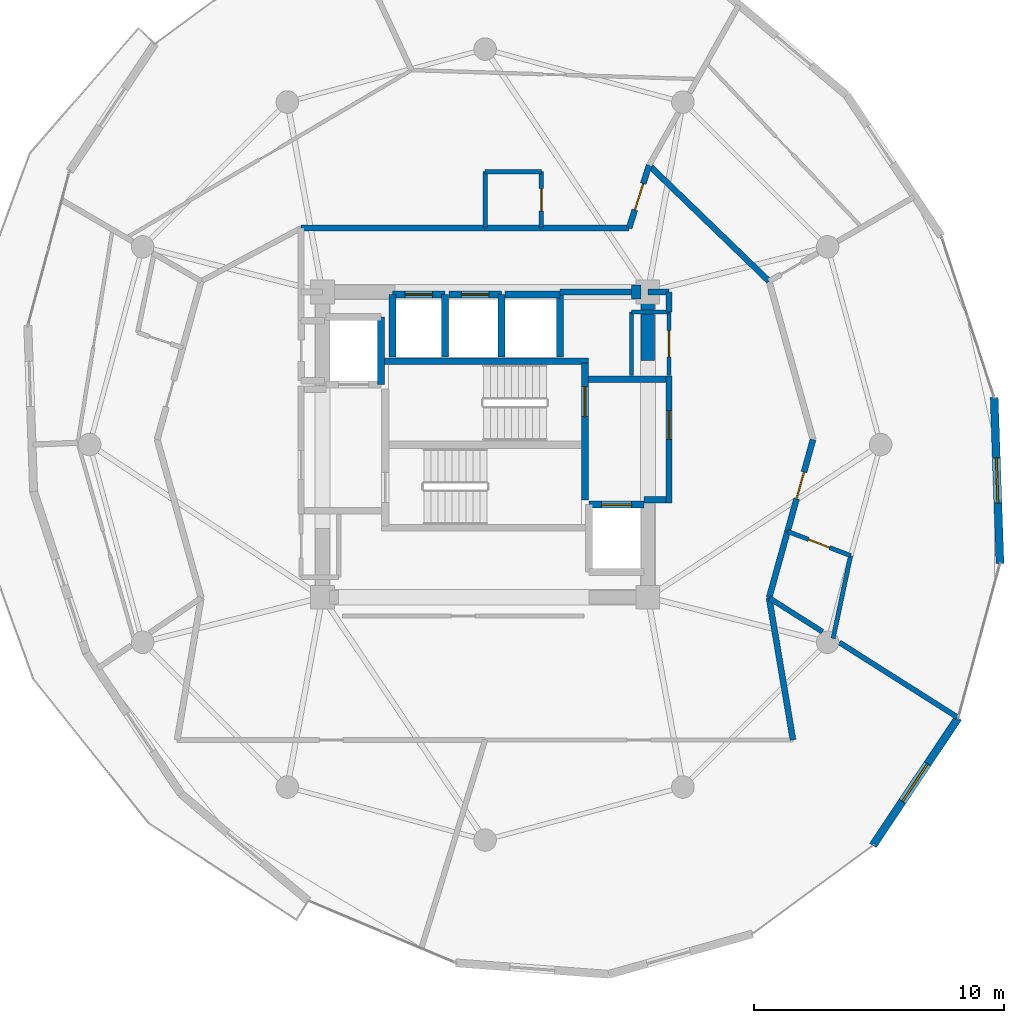
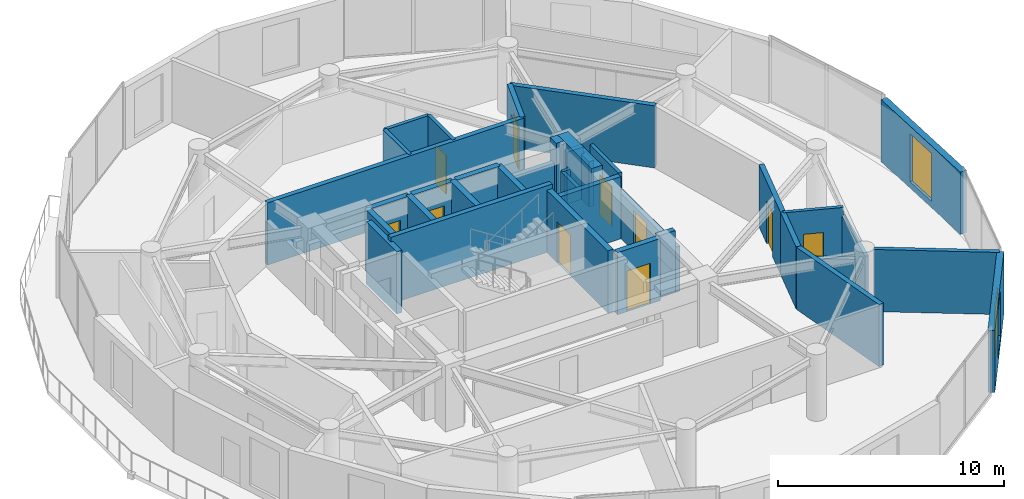
# One storey, part 15 of 18: 37 walls, 10 doors, 2 windows, 12 openings.
"""IFC4 building model written with IfcOpenShell, lengths in metres."""

from ifc_helpers import new_model, si_unit, direction, frame, frame_2d, origin, place, context, subcontext, project, spatial, rectangle, extrude, material, layer, layer_set, type_object, element, fill, save


model = new_model("IFC4")

# Units and contexts
model_context = context("Model", 3, precision=1e-05, world=origin(), true_north=direction((0.0, 1.0)))
body_context = subcontext(model_context, "Body", "Model", "MODEL_VIEW")
ifc_project = project(units=[si_unit("LENGTHUNIT", "METRE"), si_unit("AREAUNIT", "SQUARE_METRE"), si_unit("VOLUMEUNIT", "CUBIC_METRE"), si_unit("PLANEANGLEUNIT", "RADIAN"), si_unit("MASSUNIT", "GRAM", prefix="KILO")], contexts=[model_context])

# Site, building, storey
site_placement = place(None, origin())
site = spatial("IfcSite", under=ifc_project, at=site_placement, CompositionType="ELEMENT")
building_placement = place(site_placement, origin())
building = spatial("IfcBuilding", under=site, at=building_placement, Name="Solvirekh Grand Hotel", CompositionType="ELEMENT")
storey_placement = place(building_placement, frame((0.0, 0.0, 202.0)))
storey = spatial("IfcBuildingStorey", under=building, at=storey_placement, Name="L52", CompositionType="ELEMENT", Elevation=202.0)

# Wall
ifc_material_1 = material(Name="Concrete C50/60", Category="concrete")
ifc_layer_1 = layer(ifc_material_1, 0.35009765625)
ifc_layer_set_1 = layer_set([ifc_layer_1], Name="Concrete C50/60")
wall_type_1 = type_object("IfcWallType", Name="CoreDivWall_RC350", PredefinedType="SOLIDWALL", material=ifc_layer_set_1)
wall_1_placement = place(storey_placement, frame((-4.1298828125, 3.324951171875, 0.0), z_axis=(0.0, 0.0, 1.0), x_axis=(1.0, 0.0, 0.0)))
element("IfcWall", 1, at=wall_1_placement, inside=storey, type_object=wall_type_1, Name="L52 core stair box wall ST-N", PredefinedType="SOLIDWALL", context=body_context, shape_type="SweptSolid", body=[
    extrude(rectangle(XDim=8.259765625, YDim=0.25, at=frame_2d((4.1298828125, 0.0))), origin(), (0.0, 0.0, 1.0), 3.60009765625),
])

# Wall, opening, door
ifc_material_2 = material(Name="Concrete C40/50", Category="concrete")
ifc_layer_2 = layer(ifc_material_2, 0.280029296875)
ifc_layer_set_2 = layer_set([ifc_layer_2], Name="Concrete C40/50")
wall_type_2 = type_object("IfcWallType", Name="CoreShaftWall_RC280", PredefinedType="SOLIDWALL", material=ifc_layer_set_2)
wall_2_placement = place(storey_placement, frame((-1.60009765625, 6.0, 0.0), z_axis=(0.0, 0.0, 1.0), x_axis=(-1.0, 0.0, 0.0)))
wall_2 = element("IfcWall", 2, at=wall_2_placement, inside=storey, type_object=wall_type_2, Name="L52 HP-1 hoistway N wall", PredefinedType="SOLIDWALL", context=body_context, shape_type="SweptSolid", body=[
    extrude(rectangle(XDim=2.099853515625, YDim=0.280029296875, at=frame_2d((1.0498046875, 0.0))), origin(), (0.0, 0.0, 1.0), 3.360107421875),
])
opening_1_placement = place(wall_2_placement, frame((0.5, 0.0, 0.0)))
opening_1 = element("IfcOpeningElement", 3, at=opening_1_placement, cuts=wall_2, Name="Opening LD01", PredefinedType="OPENING", context=body_context, shape_type="SweptSolid", body=[
    extrude(rectangle(XDim=1.10009765625, YDim=2.199951171875, at=frame_2d((0.550048828125, 1.10009765625))), frame((0.0, 0.14990234375, 0.0), z_axis=(0.0, -1.0, 0.0), x_axis=(1.0, 0.0, 0.0)), (0.0, 0.0, 1.0), 0.300048828125),
])
ifc_material_3 = material(Name="Fire-Rated Steel Door Assembly", Category="steel")
door_type_1 = type_object("IfcDoorType", Name="Door_LiftLanding_1100X2200", OperationType="SLIDING_TO_LEFT", PredefinedType="DOOR", material=ifc_material_3)
door_1_placement = place(opening_1_placement, origin())
door_1 = element("IfcDoor", 4, at=door_1_placement, inside=storey, type_object=door_type_1, Name="L52 HP-1 sliding lift landing door", OperationType="SLIDING_TO_LEFT", OverallHeight=2.199951171875, OverallWidth=1.10009765625, PredefinedType="DOOR", context=body_context, shape_type="SweptSolid", body=[
    extrude(rectangle(XDim=1.10009765625, YDim=2.199951171875, at=frame_2d((0.550048828125, 1.10009765625))), frame((0.0, 0.02490234375, 0.0), z_axis=(0.0, -1.0, 0.0), x_axis=(1.0, 0.0, 0.0)), (0.0, 0.0, 1.0), 0.050048828125),
])
fill(opening_1, door_1)

# Walls
for number, where, z_axis, x_axis, name in (
    (5, (-3.699951171875, 6.0, 0.0), (0.0, 0.0, 1.0), (0.0, -1.0, 0.0), "L52 HP-1 hoistway W wall"),
    (6, (-1.60009765625, 3.5, 0.0), (0.0, 0.0, 1.0), (0.0, 1.0, 0.0), "L52 HP-1 hoistway E wall"),
):
    element("IfcWall", number, at=place(storey_placement, frame(where, z_axis=z_axis, x_axis=x_axis)), inside=storey, type_object=wall_type_2, Name=name, PredefinedType="SOLIDWALL", context=body_context, shape_type="SweptSolid", body=[
        extrude(rectangle(XDim=2.5, YDim=0.280029296875, at=frame_2d((1.25, 0.0))), origin(), (0.0, 0.0, 1.0), 3.360107421875),
    ])

# Wall, opening, door
wall_3_placement = place(storey_placement, frame((0.64990234375, 6.0, 0.0), z_axis=(0.0, 0.0, 1.0), x_axis=(-1.0, 0.0, 0.0)))
wall_3 = element("IfcWall", 7, at=wall_3_placement, inside=storey, type_object=wall_type_2, Name="L52 HP-2 hoistway N wall", PredefinedType="SOLIDWALL", context=body_context, shape_type="SweptSolid", body=[
    extrude(rectangle(XDim=2.099853515625, YDim=0.280029296875, at=frame_2d((1.0498046875, 0.0))), origin(), (0.0, 0.0, 1.0), 3.360107421875),
])
opening_2_placement = place(wall_3_placement, frame((0.5, 0.0, 0.0)))
opening_2 = element("IfcOpeningElement", 8, at=opening_2_placement, cuts=wall_3, Name="Opening LD01", PredefinedType="OPENING", context=body_context, shape_type="SweptSolid", body=[
    extrude(rectangle(XDim=1.10009765625, YDim=2.199951171875, at=frame_2d((0.550048828125, 1.10009765625))), frame((0.0, 0.14990234375, 0.0), z_axis=(0.0, -1.0, 0.0), x_axis=(1.0, 0.0, 0.0)), (0.0, 0.0, 1.0), 0.300048828125),
])
door_2_placement = place(opening_2_placement, origin())
door_2 = element("IfcDoor", 9, at=door_2_placement, inside=storey, type_object=door_type_1, Name="L52 HP-2 sliding lift landing door", OperationType="SLIDING_TO_LEFT", OverallHeight=2.199951171875, OverallWidth=1.10009765625, PredefinedType="DOOR", context=body_context, shape_type="SweptSolid", body=[
    extrude(rectangle(XDim=1.10009765625, YDim=2.199951171875, at=frame_2d((0.550048828125, 1.10009765625))), frame((0.0, 0.02490234375, 0.0), z_axis=(0.0, -1.0, 0.0), x_axis=(1.0, 0.0, 0.0)), (0.0, 0.0, 1.0), 0.050048828125),
])
fill(opening_2, door_2)

# Walls
wall_4_placement = place(storey_placement, frame((0.64990234375, 3.5, 0.0), z_axis=(0.0, 0.0, 1.0), x_axis=(0.0, 1.0, 0.0)))
element("IfcWall", 10, at=wall_4_placement, inside=storey, type_object=wall_type_2, Name="L52 HP-2 hoistway E wall", PredefinedType="SOLIDWALL", context=body_context, shape_type="SweptSolid", body=[
    extrude(rectangle(XDim=2.5, YDim=0.280029296875, at=frame_2d((1.25, 0.0))), origin(), (0.0, 0.0, 1.0), 3.360107421875),
])
wall_5_placement = place(storey_placement, frame((3.0, 6.0, 0.0), z_axis=(0.0, 0.0, 1.0), x_axis=(-1.0, 0.0, 0.0)))
element("IfcWall", 11, at=wall_5_placement, inside=storey, type_object=wall_type_2, Name="L52 EX-1 hoistway N wall", PredefinedType="SOLIDWALL", context=body_context, shape_type="SweptSolid", body=[
    extrude(rectangle(XDim=2.199951171875, YDim=0.280029296875, at=frame_2d((1.10009765625, 0.0))), origin(), (0.0, 0.0, 1.0), 3.360107421875),
])
wall_6_placement = place(storey_placement, frame((3.0, 3.5, 0.0), z_axis=(0.0, 0.0, 1.0), x_axis=(0.0, 1.0, 0.0)))
element("IfcWall", 12, at=wall_6_placement, inside=storey, type_object=wall_type_2, Name="L52 EX-1 hoistway E wall", PredefinedType="SOLIDWALL", context=body_context, shape_type="SweptSolid", body=[
    extrude(rectangle(XDim=2.5, YDim=0.280029296875, at=frame_2d((1.25, 0.0))), origin(), (0.0, 0.0, 1.0), 3.360107421875),
])
wall_7_placement = place(storey_placement, frame((-4.14990234375, 2.39990234375, 0.0), z_axis=(0.0, 0.0, 1.0), x_axis=(0.0, 1.0, 0.0)))
element("IfcWall", 13, at=wall_7_placement, inside=storey, type_object=wall_type_2, Name="L52 FL-1 hoistway E wall", PredefinedType="SOLIDWALL", context=body_context, shape_type="SweptSolid", body=[
    extrude(rectangle(XDim=2.7001953125, YDim=0.280029296875, at=frame_2d((1.35009765625, 0.0))), origin(), (0.0, 0.0, 1.0), 3.360107421875),
])

# Wall, opening, door
wall_8_placement = place(storey_placement, frame((6.35009765625, -2.39990234375, 0.0), z_axis=(0.0, 0.0, 1.0), x_axis=(-1.0, 0.0, 0.0)))
wall_8 = element("IfcWall", 14, at=wall_8_placement, inside=storey, type_object=wall_type_2, Name="L52 FL-2 hoistway N wall", PredefinedType="SOLIDWALL", context=body_context, shape_type="SweptSolid", body=[
    extrude(rectangle(XDim=2.2001953125, YDim=0.280029296875, at=frame_2d((1.10009765625, 0.0))), origin(), (0.0, 0.0, 1.0), 3.360107421875),
])
opening_3_placement = place(wall_8_placement, frame((0.5, 0.0, 0.0)))
opening_3 = element("IfcOpeningElement", 15, at=opening_3_placement, cuts=wall_8, Name="Opening LD02", PredefinedType="OPENING", context=body_context, shape_type="SweptSolid", body=[
    extrude(rectangle(XDim=1.199951171875, YDim=2.199951171875, at=frame_2d((0.60009765625, 1.10009765625))), frame((0.0, 0.14990234375, 0.0), z_axis=(0.0, -1.0, 0.0), x_axis=(1.0, 0.0, 0.0)), (0.0, 0.0, 1.0), 0.300048828125),
])
door_type_2 = type_object("IfcDoorType", Name="Door_LiftFF_1200X2200", OperationType="SLIDING_TO_LEFT", PredefinedType="DOOR", material=ifc_material_3)
door_3_placement = place(opening_3_placement, origin())
door_3 = element("IfcDoor", 16, at=door_3_placement, inside=storey, type_object=door_type_2, Name="L52 FL-2 sliding lift landing door", OperationType="SLIDING_TO_LEFT", OverallHeight=2.199951171875, OverallWidth=1.199951171875, PredefinedType="DOOR", context=body_context, shape_type="SweptSolid", body=[
    extrude(rectangle(XDim=1.199951171875, YDim=2.199951171875, at=frame_2d((0.60009765625, 1.10009765625))), frame((0.0, 0.02490234375, 0.0), z_axis=(0.0, -1.0, 0.0), x_axis=(1.0, 0.0, 0.0)), (0.0, 0.0, 1.0), 0.050048828125),
])
fill(opening_3, door_3)

wall_9_placement = place(storey_placement, frame((3.989990234375, -2.2099609375, 0.0), z_axis=(0.0, 0.0, 1.0), x_axis=(0.0, 1.0, 0.0)))
wall_9 = element("IfcWall", 17, at=wall_9_placement, inside=storey, type_object=wall_type_2, Name="L52 east stair landing enclosure wall", PredefinedType="SOLIDWALL", context=body_context, shape_type="SweptSolid", body=[
    extrude(rectangle(XDim=5.4599609375, YDim=0.280029296875, at=frame_2d((2.72998046875, 0.0))), origin(), (0.0, 0.0, 1.0), 3.360107421875),
])
opening_4_placement = place(wall_9_placement, frame((3.322998046875, 0.0, 0.0)))
opening_4 = element("IfcOpeningElement", 18, at=opening_4_placement, cuts=wall_9, Name="Opening D05", PredefinedType="OPENING", context=body_context, shape_type="SweptSolid", body=[
    extrude(rectangle(XDim=1.199951171875, YDim=2.199951171875, at=frame_2d((0.60009765625, 1.10009765625))), frame((0.0, 0.14990234375, 0.0), z_axis=(0.0, -1.0, 0.0), x_axis=(1.0, 0.0, 0.0)), (0.0, 0.0, 1.0), 0.300048828125),
])
door_type_3 = type_object("IfcDoorType", Name="Door_StairCore_1200X2200", OperationType="NOTDEFINED", PredefinedType="DOOR", material=ifc_material_3)
door_4_placement = place(opening_4_placement, origin())
door_4 = element("IfcDoor", 19, at=door_4_placement, inside=storey, type_object=door_type_3, Name="L52 exit stair ST-2 fire door", OperationType="SINGLE_SWING_LEFT", OverallHeight=2.199951171875, OverallWidth=1.199951171875, PredefinedType="DOOR", context=body_context, shape_type="SweptSolid", body=[
    extrude(rectangle(XDim=1.199951171875, YDim=2.199951171875, at=frame_2d((0.60009765625, 1.10009765625))), frame((0.0, 0.02490234375, 0.0), z_axis=(0.0, -1.0, 0.0), x_axis=(1.0, 0.0, 0.0)), (0.0, 0.0, 1.0), 0.050048828125),
])
fill(opening_4, door_4)

# Walls
ifc_layer_3 = layer(ifc_material_1, 0.550048828125)
ifc_layer_set_3 = layer_set([ifc_layer_3], Name="Concrete C50/60")
wall_type_3 = type_object("IfcWallType", Name="CoreWall_RC550", PredefinedType="SHEAR", material=ifc_layer_set_3)
wall_10_placement = place(storey_placement, frame((5.85009765625, 6.10009765625, 0.0), z_axis=(0.0, 0.0, 1.0), x_axis=(1.0, 0.0, 0.0)))
element("IfcWall", 20, at=wall_10_placement, inside=storey, type_object=wall_type_3, Name="L52 core corner shear wall NE-N", PredefinedType="SHEAR", context=body_context, shape_type="SweptSolid", body=[
    extrude(rectangle(XDim=0.375, YDim=0.550048828125, at=frame_2d((0.1875, 0.0))), origin(), (0.0, 0.0, 1.0), 3.60009765625),
])
wall_11_placement = place(storey_placement, frame((6.5, 3.35009765625, 0.0), z_axis=(0.0, 0.0, 1.0), x_axis=(0.0, 1.0, 0.0)))
element("IfcWall", 21, at=wall_11_placement, inside=storey, type_object=wall_type_3, Name="L52 core corner shear wall EN-E", PredefinedType="SHEAR", context=body_context, shape_type="SweptSolid", body=[
    extrude(rectangle(XDim=3.02490234375, YDim=0.550048828125, at=frame_2d((1.512451171875, 0.0))), origin(), (0.0, 0.0, 1.0), 3.60009765625),
])

# Wall, opening, window
ifc_material_4 = material(Name="Precast concrete C45/55", Category="concrete")
ifc_layer_4 = layer(ifc_material_4, 0.320068359375)
ifc_layer_set_4 = layer_set([ifc_layer_4], Name="Precast concrete C45/55")
wall_type_4 = type_object("IfcWallType", Name="ExtLobbyWall_RC320", PredefinedType="SOLIDWALL", material=ifc_layer_set_4)
wall_12_placement = place(storey_placement, frame((18.90087890625, -10.919921875, 0.0), z_axis=(0.0, 0.0, 1.0), x_axis=(-0.55549022161, -0.831523068649, 0.0)))
wall_12 = element("IfcWall", 22, at=wall_12_placement, inside=storey, type_object=wall_type_4, Name="L52 exterior structural wall chord 2", PredefinedType="SOLIDWALL", context=body_context, shape_type="SweptSolid", body=[
    extrude(rectangle(XDim=6.131103515625, YDim=0.320068359375, at=frame_2d((3.0654296875, 0.0))), origin(), (0.0, 0.0, 1.0), 3.360107421875),
])
opening_5_placement = place(wall_12_placement, frame((2.214111328125, 0.0, 0.35009765625)))
opening_5 = element("IfcOpeningElement", 23, at=opening_5_placement, cuts=wall_12, Name="Opening W02", PredefinedType="OPENING", context=body_context, shape_type="SweptSolid", body=[
    extrude(rectangle(XDim=1.800048828125, YDim=2.60009765625, at=frame_2d((0.89990234375, 1.300048828125))), frame((0.0, 0.169921875, 0.0), z_axis=(0.0, -1.0, 0.0), x_axis=(1.0, 0.0, 0.0)), (0.0, 0.0, 1.0), 0.340087890625),
])
ifc_material_5 = material(Name="Low-E Tinted Bronze Laminated Glass", Category="aluminium")
window_type = type_object("IfcWindowType", Name="Win_LobbyExt_1800X2600", PartitioningType="SINGLE_PANEL", PredefinedType="WINDOW", material=ifc_material_5)
window_1_placement = place(opening_5_placement, origin())
window_1 = element("IfcWindow", 24, at=window_1_placement, inside=storey, type_object=window_type, Name="L52 panoramic bronze-framed window 2", OverallHeight=2.60009765625, OverallWidth=1.800048828125, PartitioningType="SINGLE_PANEL", PredefinedType="WINDOW", context=body_context, shape_type="SweptSolid", body=[
    extrude(rectangle(XDim=1.800048828125, YDim=2.60009765625, at=frame_2d((0.89990234375, 1.300048828125))), frame((0.0, 0.030029296875, 0.0), z_axis=(0.0, -1.0, 0.0), x_axis=(1.0, 0.0, 0.0)), (0.0, 0.0, 1.0), 0.06005859375),
])
fill(opening_5, window_1)

wall_13_placement = place(storey_placement, frame((20.337890625, 1.8798828125, 0.0), z_axis=(0.0, 0.0, 1.0), x_axis=(0.034988136102, -0.999387727727, 0.0)))
wall_13 = element("IfcWall", 25, at=wall_13_placement, inside=storey, type_object=wall_type_4, Name="L52 exterior structural wall chord 4", PredefinedType="SOLIDWALL", context=body_context, shape_type="SweptSolid", body=[
    extrude(rectangle(XDim=6.635986328125, YDim=0.320068359375, at=frame_2d((3.31787109375, 0.0))), origin(), (0.0, 0.0, 1.0), 3.360107421875),
])
opening_6_placement = place(wall_13_placement, frame((2.41796875, 0.0, 0.35009765625)))
opening_6 = element("IfcOpeningElement", 26, at=opening_6_placement, cuts=wall_13, Name="Opening W02", PredefinedType="OPENING", context=body_context, shape_type="SweptSolid", body=[
    extrude(rectangle(XDim=1.800048828125, YDim=2.60009765625, at=frame_2d((0.89990234375, 1.300048828125))), frame((0.0, 0.169921875, 0.0), z_axis=(0.0, -1.0, 0.0), x_axis=(1.0, 0.0, 0.0)), (0.0, 0.0, 1.0), 0.340087890625),
])
window_2_placement = place(opening_6_placement, origin())
window_2 = element("IfcWindow", 27, at=window_2_placement, inside=storey, type_object=window_type, Name="L52 panoramic bronze-framed window 4", OverallHeight=2.60009765625, OverallWidth=1.800048828125, PartitioningType="SINGLE_PANEL", PredefinedType="WINDOW", context=body_context, shape_type="SweptSolid", body=[
    extrude(rectangle(XDim=1.800048828125, YDim=2.60009765625, at=frame_2d((0.89990234375, 1.300048828125))), frame((0.0, 0.030029296875, 0.0), z_axis=(0.0, -1.0, 0.0), x_axis=(1.0, 0.0, 0.0)), (0.0, 0.0, 1.0), 0.06005859375),
])
fill(opening_6, window_2)

# Wall, opening, door
ifc_material_6 = material(Name="Acoustic Gypsum Partition Assembly")
ifc_layer_5 = layer(ifc_material_6, 0.1650390625)
ifc_layer_set_5 = layer_set([ifc_layer_5], Name="Acoustic Gypsum Partition Assembly")
wall_type_5 = type_object("IfcWallType", Name="Part_BOH_165", PredefinedType="PARTITIONING", material=ifc_layer_set_5)
wall_14_placement = place(storey_placement, frame((7.35009765625, 2.75, 0.0), z_axis=(0.0, 0.0, 1.0), x_axis=(0.0, 1.0, 0.0)))
wall_14 = element("IfcWall", 28, at=wall_14_placement, inside=storey, type_object=wall_type_5, Name="L52 L52 Telecom Distribution Room wall 2", PredefinedType="PARTITIONING", context=body_context, shape_type="SweptSolid", body=[
    extrude(rectangle(XDim=2.550048828125, YDim=0.1650390625, at=frame_2d((1.27490234375, 0.0))), origin(), (0.0, 0.0, 1.0), 3.360107421875),
])
opening_7_placement = place(wall_14_placement, frame((0.75, 0.0, 0.0)))
opening_7 = element("IfcOpeningElement", 29, at=opening_7_placement, cuts=wall_14, Name="Opening D12", PredefinedType="OPENING", context=body_context, shape_type="SweptSolid", body=[
    extrude(rectangle(XDim=1.050048828125, YDim=2.14990234375, at=frame_2d((0.52490234375, 1.074951171875))), frame((0.0, 0.092529296875, 0.0), z_axis=(0.0, -1.0, 0.0), x_axis=(1.0, 0.0, 0.0)), (0.0, 0.0, 1.0), 0.18505859375),
])
door_type_4 = type_object("IfcDoorType", Name="Door_PlantBOH_1050X2150", OperationType="NOTDEFINED", PredefinedType="DOOR", material=ifc_material_3)
door_5_placement = place(opening_7_placement, origin())
door_5 = element("IfcDoor", 30, at=door_5_placement, inside=storey, type_object=door_type_4, Name="L52 L52 Telecom Distribution Room door", OperationType="SINGLE_SWING_RIGHT", OverallHeight=2.14990234375, OverallWidth=1.050048828125, PredefinedType="DOOR", context=body_context, shape_type="SweptSolid", body=[
    extrude(rectangle(XDim=1.050048828125, YDim=2.14990234375, at=frame_2d((0.52490234375, 1.074951171875))), frame((0.0, 0.02490234375, 0.0), z_axis=(0.0, -1.0, 0.0), x_axis=(1.0, 0.0, 0.0)), (0.0, 0.0, 1.0), 0.050048828125),
])
fill(opening_7, door_5)

# Walls
wall_15_placement = place(storey_placement, frame((7.35009765625, 5.300048828125, 0.0), z_axis=(0.0, 0.0, 1.0), x_axis=(-1.0, 0.0, 0.0)))
element("IfcWall", 31, at=wall_15_placement, inside=storey, type_object=wall_type_5, Name="L52 L52 Telecom Distribution Room wall 3", PredefinedType="PARTITIONING", context=body_context, shape_type="SweptSolid", body=[
    extrude(rectangle(XDim=1.5, YDim=0.1650390625, at=frame_2d((0.75, 0.0))), origin(), (0.0, 0.0, 1.0), 2.445068359375),
])
wall_16_placement = place(storey_placement, frame((5.85009765625, 5.300048828125, 0.0), z_axis=(0.0, 0.0, 1.0), x_axis=(0.0, -1.0, 0.0)))
element("IfcWall", 32, at=wall_16_placement, inside=storey, type_object=wall_type_5, Name="L52 L52 Telecom Distribution Room wall 4", PredefinedType="PARTITIONING", context=body_context, shape_type="SweptSolid", body=[
    extrude(rectangle(XDim=2.550048828125, YDim=0.1650390625, at=frame_2d((1.27490234375, 0.0))), origin(), (0.0, 0.0, 1.0), 2.445068359375),
])

# Wall, opening, door
ifc_layer_6 = layer(ifc_material_6, 0.239990234375)
ifc_layer_set_6 = layer_set([ifc_layer_6], Name="Acoustic Gypsum Partition Assembly")
wall_type_6 = type_object("IfcWallType", Name="Part_Corridor_240", PredefinedType="PARTITIONING", material=ifc_layer_set_6)
wall_17_placement = place(storey_placement, frame((7.35009765625, -2.340087890625, 0.0), z_axis=(0.0, 0.0, 1.0), x_axis=(0.0, 1.0, 0.0)))
wall_17 = element("IfcWall", 33, at=wall_17_placement, inside=storey, type_object=wall_type_6, Name="L52 east firefighting lobby smoke screen wall", PredefinedType="PARTITIONING", context=body_context, shape_type="SweptSolid", body=[
    extrude(rectangle(XDim=5.070068359375, YDim=0.239990234375, at=frame_2d((2.53515625, 0.0))), origin(), (0.0, 0.0, 1.0), 2.445068359375),
])
opening_8_placement = place(wall_17_placement, frame((2.548095703125, 0.0, 0.0)))
opening_8 = element("IfcOpeningElement", 34, at=opening_8_placement, cuts=wall_17, Name="Opening D06", PredefinedType="OPENING", context=body_context, shape_type="SweptSolid", body=[
    extrude(rectangle(XDim=1.14990234375, YDim=2.199951171875, at=frame_2d((0.574951171875, 1.10009765625))), frame((0.0, 0.1298828125, 0.0), z_axis=(0.0, -1.0, 0.0), x_axis=(1.0, 0.0, 0.0)), (0.0, 0.0, 1.0), 0.260009765625),
])
door_type_5 = type_object("IfcDoorType", Name="Door_FFLobby_1150X2200", OperationType="NOTDEFINED", PredefinedType="DOOR", material=ifc_material_3)
door_6_placement = place(opening_8_placement, origin())
door_6 = element("IfcDoor", 35, at=door_6_placement, inside=storey, type_object=door_type_5, Name="L52 east firefighting lobby smoke door", OperationType="SINGLE_SWING_LEFT", OverallHeight=2.199951171875, OverallWidth=1.14990234375, PredefinedType="DOOR", context=body_context, shape_type="SweptSolid", body=[
    extrude(rectangle(XDim=1.14990234375, YDim=2.199951171875, at=frame_2d((0.574951171875, 1.10009765625))), frame((0.0, 0.02490234375, 0.0), z_axis=(0.0, -1.0, 0.0), x_axis=(1.0, 0.0, 0.0)), (0.0, 0.0, 1.0), 0.050048828125),
])
fill(opening_8, door_6)

# Walls
wall_18_placement = place(storey_placement, frame((-7.35009765625, 8.64990234375, 0.0), z_axis=(0.0, 0.0, 1.0), x_axis=(1.0, 0.0, 0.0)))
element("IfcWall", 36, at=wall_18_placement, inside=storey, type_object=wall_type_6, Name="L52 north lift lobby enclosure wall", PredefinedType="PARTITIONING", context=body_context, shape_type="SweptSolid", body=[
    extrude(rectangle(XDim=13.10009765625, YDim=0.239990234375, at=frame_2d((6.550048828125, 0.0))), origin(), (0.0, 0.0, 1.0), 3.360107421875),
])
wall_19_placement = place(storey_placement, frame((3.0, 6.10009765625, 0.0), z_axis=(0.0, 0.0, 1.0), x_axis=(1.0, 0.0, 0.0)))
element("IfcWall", 37, at=wall_19_placement, inside=storey, type_object=wall_type_6, Name="L52 north core shaft infill wall", PredefinedType="PARTITIONING", context=body_context, shape_type="SweptSolid", body=[
    extrude(rectangle(XDim=2.85009765625, YDim=0.239990234375, at=frame_2d((1.425048828125, 0.0))), origin(), (0.0, 0.0, 1.0), 2.445068359375),
])
wall_20_placement = place(storey_placement, frame((7.35009765625, 5.300048828125, 0.0), z_axis=(0.0, 0.0, 1.0), x_axis=(0.0, 1.0, 0.0)))
element("IfcWall", 38, at=wall_20_placement, inside=storey, type_object=wall_type_6, Name="L52 NE core cheek closure wall", PredefinedType="PARTITIONING", context=body_context, shape_type="SweptSolid", body=[
    extrude(rectangle(XDim=0.800048828125, YDim=0.239990234375, at=frame_2d((0.39990234375, 0.0))), origin(), (0.0, 0.0, 1.0), 2.445068359375),
])
wall_21_placement = place(storey_placement, frame((6.5, 6.10009765625, 0.0), z_axis=(0.0, 0.0, 1.0), x_axis=(1.0, 0.0, 0.0)))
element("IfcWall", 39, at=wall_21_placement, inside=storey, type_object=wall_type_6, Name="L52 NE core corner tie wall", PredefinedType="PARTITIONING", context=body_context, shape_type="SweptSolid", body=[
    extrude(rectangle(XDim=0.85009765625, YDim=0.239990234375, at=frame_2d((0.425048828125, 0.0))), origin(), (0.0, 0.0, 1.0), 2.801025390625),
])

# Wall, opening, door
wall_22_placement = place(storey_placement, frame((5.75, 8.64990234375, 0.0), z_axis=(0.0, 0.0, 1.0), x_axis=(0.304226604656, 0.952599691906, 0.0)))
wall_22 = element("IfcWall", 40, at=wall_22_placement, inside=storey, type_object=wall_type_6, Name="L52 Panorama Suite 5401 Inner Suite Lounge entrance wall", PredefinedType="PARTITIONING", context=body_context, shape_type="SweptSolid", body=[
    extrude(rectangle(XDim=2.6298828125, YDim=0.239990234375, at=frame_2d((1.31494140625, 0.0))), origin(), (0.0, 0.0, 1.0), 3.360107421875),
])
opening_9_placement = place(wall_22_placement, frame((0.764892578125, 0.0, 0.0)))
opening_9 = element("IfcOpeningElement", 41, at=opening_9_placement, cuts=wall_22, Name="Opening D08", PredefinedType="OPENING", context=body_context, shape_type="SweptSolid", body=[
    extrude(rectangle(XDim=1.10009765625, YDim=2.300048828125, at=frame_2d((0.550048828125, 1.14990234375))), frame((0.0, 0.1298828125, 0.0), z_axis=(0.0, -1.0, 0.0), x_axis=(1.0, 0.0, 0.0)), (0.0, 0.0, 1.0), 0.260009765625),
])
door_type_6 = type_object("IfcDoorType", Name="Door_SuiteEntry_1100X2300", OperationType="NOTDEFINED", PredefinedType="DOOR", material=ifc_material_3)
door_7_placement = place(opening_9_placement, origin())
door_7 = element("IfcDoor", 42, at=door_7_placement, inside=storey, type_object=door_type_6, Name="L52 Panorama Suite 5401 Inner Suite Lounge entrance door", OperationType="SINGLE_SWING_LEFT", OverallHeight=2.300048828125, OverallWidth=1.10009765625, PredefinedType="DOOR", context=body_context, shape_type="SweptSolid", body=[
    extrude(rectangle(XDim=1.10009765625, YDim=2.300048828125, at=frame_2d((0.550048828125, 1.14990234375))), frame((0.0, 0.02490234375, 0.0), z_axis=(0.0, -1.0, 0.0), x_axis=(1.0, 0.0, 0.0)), (0.0, 0.0, 1.0), 0.050048828125),
])
fill(opening_9, door_7)

# Wall
wall_23_placement = place(storey_placement, frame((11.344970703125, -6.125, 0.0), z_axis=(0.0, 0.0, 1.0), x_axis=(0.267401739017, 0.963585133743, 0.0)))
element("IfcWall", 43, at=wall_23_placement, inside=storey, type_object=wall_type_6, Name="L52 En-suite Bathroom 5403 corridor backing wall", PredefinedType="PARTITIONING", context=body_context, shape_type="SweptSolid", body=[
    extrude(rectangle(XDim=2.75634765625, YDim=0.239990234375, at=frame_2d((1.378173828125, 0.0))), origin(), (0.0, 0.0, 1.0), 3.360107421875),
])

# Wall, opening, door
wall_24_placement = place(storey_placement, frame((12.08203125, -3.468994140625, 0.0), z_axis=(0.0, 0.0, 1.0), x_axis=(0.267379290897, 0.963591362975, 0.0)))
wall_24 = element("IfcWall", 44, at=wall_24_placement, inside=storey, type_object=wall_type_6, Name="L52 Diplomatic Suite 5403 Living Room entrance wall", PredefinedType="PARTITIONING", context=body_context, shape_type="SweptSolid", body=[
    extrude(rectangle(XDim=3.8076171875, YDim=0.239990234375, at=frame_2d((1.90380859375, 0.0))), origin(), (0.0, 0.0, 1.0), 3.360107421875),
])
opening_10_placement = place(wall_24_placement, frame((1.35400390625, 0.0, 0.0)))
opening_10 = element("IfcOpeningElement", 45, at=opening_10_placement, cuts=wall_24, Name="Opening D08", PredefinedType="OPENING", context=body_context, shape_type="SweptSolid", body=[
    extrude(rectangle(XDim=1.10009765625, YDim=2.300048828125, at=frame_2d((0.550048828125, 1.14990234375))), frame((0.0, 0.1298828125, 0.0), z_axis=(0.0, -1.0, 0.0), x_axis=(1.0, 0.0, 0.0)), (0.0, 0.0, 1.0), 0.260009765625),
])
door_8_placement = place(opening_10_placement, origin())
door_8 = element("IfcDoor", 46, at=door_8_placement, inside=storey, type_object=door_type_6, Name="L52 Diplomatic Suite 5403 Living Room entrance door", OperationType="SINGLE_SWING_LEFT", OverallHeight=2.300048828125, OverallWidth=1.10009765625, PredefinedType="DOOR", context=body_context, shape_type="SweptSolid", body=[
    extrude(rectangle(XDim=1.10009765625, YDim=2.300048828125, at=frame_2d((0.550048828125, 1.14990234375))), frame((0.0, 0.02490234375, 0.0), z_axis=(0.0, -1.0, 0.0), x_axis=(1.0, 0.0, 0.0)), (0.0, 0.0, 1.0), 0.050048828125),
])
fill(opening_10, door_8)

# Walls
wall_25_placement = place(storey_placement, frame((11.344970703125, 6.52490234375, 0.0), z_axis=(0.0, 0.0, 1.0), x_axis=(-0.719360436772, 0.694637000172, 0.0)))
element("IfcWall", 47, at=wall_25_placement, inside=storey, type_object=wall_type_6, Name="L52 Diplomatic Suite 5403 Suite Foyer corridor enclosure wall", PredefinedType="PARTITIONING", context=body_context, shape_type="SweptSolid", body=[
    extrude(rectangle(XDim=6.66552734375, YDim=0.239990234375, at=frame_2d((3.332763671875, 0.0))), origin(), (0.0, 0.0, 1.0), 3.360107421875),
])
wall_26_placement = place(storey_placement, frame((12.300048828125, -11.800048828125, 0.0), z_axis=(0.0, 0.0, 1.0), x_axis=(-0.165960421789, 0.986132414232, 0.0)))
element("IfcWall", 48, at=wall_26_placement, inside=storey, type_object=wall_type_6, Name="L52 L52 Butler Valet & Linen Steward Room corridor wall 1", PredefinedType="PARTITIONING", context=body_context, shape_type="SweptSolid", body=[
    extrude(rectangle(XDim=5.7548828125, YDim=0.239990234375, at=frame_2d((2.87744140625, 0.0))), origin(), (0.0, 0.0, 1.0), 3.360107421875),
])
ifc_layer_7 = layer(ifc_material_6, 0.260009765625)
ifc_layer_set_7 = layer_set([ifc_layer_7], Name="Acoustic Gypsum Partition Assembly")
wall_type_7 = type_object("IfcWallType", Name="Part_LobbyFF_260", PredefinedType="PARTITIONING", material=ifc_layer_set_7)
wall_27_placement = place(storey_placement, frame((6.35009765625, -2.2099609375, 0.0), z_axis=(0.0, 0.0, 1.0), x_axis=(1.0, 0.0, 0.0)))
element("IfcWall", 49, at=wall_27_placement, inside=storey, type_object=wall_type_7, Name="L52 east firefighting lobby SE cheek", PredefinedType="PARTITIONING", context=body_context, shape_type="SweptSolid", body=[
    extrude(rectangle(XDim=0.875, YDim=0.260009765625, at=frame_2d((0.4375, 0.0))), origin(), (0.0, 0.0, 1.0), 3.360107421875),
])
wall_28_placement = place(storey_placement, frame((4.1298828125, 2.60009765625, 0.0), z_axis=(0.0, 0.0, 1.0), x_axis=(1.0, 0.0, 0.0)))
element("IfcWall", 50, at=wall_28_placement, inside=storey, type_object=wall_type_7, Name="L52 east firefighting lobby north partition", PredefinedType="PARTITIONING", context=body_context, shape_type="SweptSolid", body=[
    extrude(rectangle(XDim=3.09521484375, YDim=0.260009765625, at=frame_2d((1.547607421875, 0.0))), origin(), (0.0, 0.0, 1.0), 3.360107421875),
])
ifc_layer_8 = layer(ifc_material_6, 0.2099609375)
ifc_layer_set_8 = layer_set([ifc_layer_8], Name="Acoustic Gypsum Partition Assembly")
wall_type_8 = type_object("IfcWallType", Name="Part_SuiteDemise_210", PredefinedType="PARTITIONING", material=ifc_layer_set_8)
wall_29_placement = place(storey_placement, frame((11.344970703125, -6.125, 0.0), z_axis=(0.0, 0.0, 1.0), x_axis=(0.844619463995, -0.535367127344, 0.0)))
element("IfcWall", 51, at=wall_29_placement, inside=storey, type_object=wall_type_8, Name="L52 suite radial wall 12 (A)", PredefinedType="PARTITIONING", context=body_context, shape_type="SweptSolid", body=[
    extrude(rectangle(XDim=2.525390625, YDim=0.2099609375, at=frame_2d((1.2626953125, 0.0))), origin(), (0.0, 0.0, 1.0), 2.801025390625),
])
wall_30_placement = place(storey_placement, frame((14.153076171875, -7.905029296875, 0.0), z_axis=(0.0, 0.0, 1.0), x_axis=(0.844580451792, -0.535428669806, 0.0)))
element("IfcWall", 52, at=wall_30_placement, inside=storey, type_object=wall_type_8, Name="L52 suite radial wall 12 (B)", PredefinedType="PARTITIONING", context=body_context, shape_type="SweptSolid", body=[
    extrude(rectangle(XDim=5.58251953125, YDim=0.2099609375, at=frame_2d((2.791259765625, 0.0))), origin(), (0.0, 0.0, 1.0), 3.360107421875),
])
ifc_layer_9 = layer(ifc_material_6, 0.175048828125)
ifc_layer_set_9 = layer_set([ifc_layer_9], Name="Acoustic Gypsum Partition Assembly")
wall_type_9 = type_object("IfcWallType", Name="Plumb_Ensuite_175", PredefinedType="PLUMBINGWALL", material=ifc_layer_set_9)
for number, where, z_axis, x_axis, name in (
    (53, (0.0, 10.89990234375, 0.0), (0.0, 0.0, 1.0), (1.0, 0.0, 0.0), "L52 En-suite Bathroom 5401 outer plumbing wall"),
    (54, (0.0, 10.89990234375, 0.0), (0.0, 0.0, 1.0), (0.0, -1.0, 0.0), "L52 En-suite Bathroom 5401 side plumbing wall"),
):
    element("IfcWall", number, at=place(storey_placement, frame(where, z_axis=z_axis, x_axis=x_axis)), inside=storey, type_object=wall_type_9, Name=name, PredefinedType="PLUMBINGWALL", context=body_context, shape_type="SweptSolid", body=[
        extrude(rectangle(XDim=2.25, YDim=0.175048828125, at=frame_2d((1.125, 0.0))), origin(), (0.0, 0.0, 1.0), 3.360107421875),
    ])

# Wall, opening, door
wall_31_placement = place(storey_placement, frame((2.25, 8.64990234375, 0.0), z_axis=(0.0, 0.0, 1.0), x_axis=(0.0, 1.0, 0.0)))
wall_31 = element("IfcWall", 55, at=wall_31_placement, inside=storey, type_object=wall_type_9, Name="L52 En-suite Bathroom 5401 entry plumbing wall", PredefinedType="PLUMBINGWALL", context=body_context, shape_type="SweptSolid", body=[
    extrude(rectangle(XDim=2.25, YDim=0.175048828125, at=frame_2d((1.125, 0.0))), origin(), (0.0, 0.0, 1.0), 3.360107421875),
])
opening_11_placement = place(wall_31_placement, frame((0.675048828125, 0.0, 0.0)))
opening_11 = element("IfcOpeningElement", 56, at=opening_11_placement, cuts=wall_31, Name="Opening D09", PredefinedType="OPENING", context=body_context, shape_type="SweptSolid", body=[
    extrude(rectangle(XDim=0.89990234375, YDim=2.10009765625, at=frame_2d((0.449951171875, 1.050048828125))), frame((0.0, 0.09765625, 0.0), z_axis=(0.0, -1.0, 0.0), x_axis=(1.0, 0.0, 0.0)), (0.0, 0.0, 1.0), 0.195068359375),
])
ifc_material_7 = material(Name="Anodized Bronze Aluminium 6063-T6", Category="aluminium")
door_type_7 = type_object("IfcDoorType", Name="Door_Ensuite_900X2100", OperationType="NOTDEFINED", PredefinedType="DOOR", material=ifc_material_7)
door_9_placement = place(opening_11_placement, origin())
door_9 = element("IfcDoor", 57, at=door_9_placement, inside=storey, type_object=door_type_7, Name="L52 En-suite Bathroom 5401 door", OperationType="SINGLE_SWING_RIGHT", OverallHeight=2.10009765625, OverallWidth=0.89990234375, PredefinedType="DOOR", context=body_context, shape_type="SweptSolid", body=[
    extrude(rectangle(XDim=0.89990234375, YDim=2.10009765625, at=frame_2d((0.449951171875, 1.050048828125))), frame((0.0, 0.02490234375, 0.0), z_axis=(0.0, -1.0, 0.0), x_axis=(1.0, 0.0, 0.0)), (0.0, 0.0, 1.0), 0.050048828125),
])
fill(opening_11, door_9)

# Wall
wall_32_placement = place(storey_placement, frame((13.903076171875, -7.74609375, 0.0), z_axis=(0.0, 0.0, 1.0), x_axis=(0.207003777915, 0.978340143268, 0.0)))
element("IfcWall", 58, at=wall_32_placement, inside=storey, type_object=wall_type_9, Name="L52 En-suite Bathroom 5403 outer plumbing wall", PredefinedType="PLUMBINGWALL", context=body_context, shape_type="SweptSolid", body=[
    extrude(rectangle(XDim=3.38134765625, YDim=0.175048828125, at=frame_2d((1.690673828125, 0.0))), origin(), (0.0, 0.0, 1.0), 2.928955078125),
])

# Wall, opening, door
wall_33_placement = place(storey_placement, frame((12.08203125, -3.468994140625, 0.0), z_axis=(0.0, 0.0, 1.0), x_axis=(0.933422467447, -0.358779176186, 0.0)))
wall_33 = element("IfcWall", 59, at=wall_33_placement, inside=storey, type_object=wall_type_9, Name="L52 En-suite Bathroom 5403 entry plumbing wall", PredefinedType="PLUMBINGWALL", context=body_context, shape_type="SweptSolid", body=[
    extrude(rectangle(XDim=2.700927734375, YDim=0.175048828125, at=frame_2d((1.3505859375, 0.0))), origin(), (0.0, 0.0, 1.0), 3.360107421875),
])
opening_12_placement = place(wall_33_placement, frame((0.89990234375, 0.0, 0.0)))
opening_12 = element("IfcOpeningElement", 60, at=opening_12_placement, cuts=wall_33, Name="Opening D09", PredefinedType="OPENING", context=body_context, shape_type="SweptSolid", body=[
    extrude(rectangle(XDim=0.89990234375, YDim=2.10009765625, at=frame_2d((0.449951171875, 1.050048828125))), frame((0.0, 0.09765625, 0.0), z_axis=(0.0, -1.0, 0.0), x_axis=(1.0, 0.0, 0.0)), (0.0, 0.0, 1.0), 0.195068359375),
])
door_10_placement = place(opening_12_placement, origin())
door_10 = element("IfcDoor", 61, at=door_10_placement, inside=storey, type_object=door_type_7, Name="L52 En-suite Bathroom 5403 door", OperationType="SINGLE_SWING_RIGHT", OverallHeight=2.10009765625, OverallWidth=0.89990234375, PredefinedType="DOOR", context=body_context, shape_type="SweptSolid", body=[
    extrude(rectangle(XDim=0.89990234375, YDim=2.10009765625, at=frame_2d((0.449951171875, 1.050048828125))), frame((0.0, 0.02490234375, 0.0), z_axis=(0.0, -1.0, 0.0), x_axis=(1.0, 0.0, 0.0)), (0.0, 0.0, 1.0), 0.050048828125),
])
fill(opening_12, door_10)

save(model, "model.ifc")
